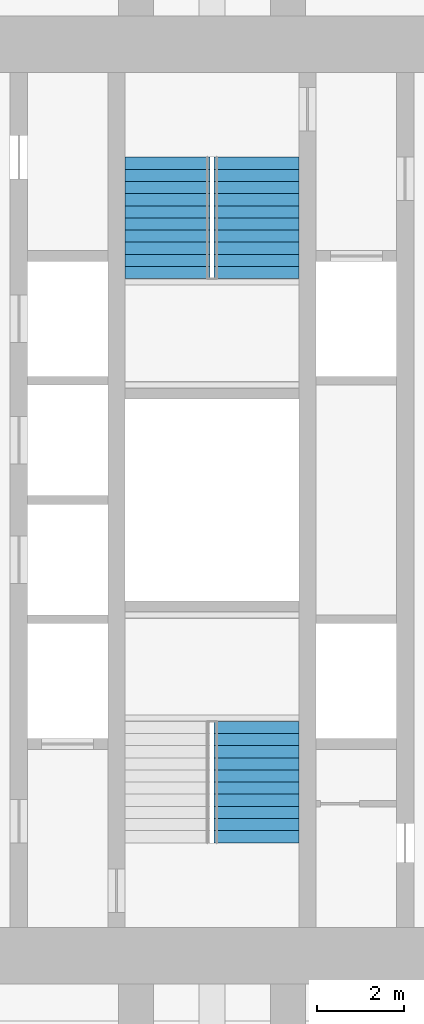
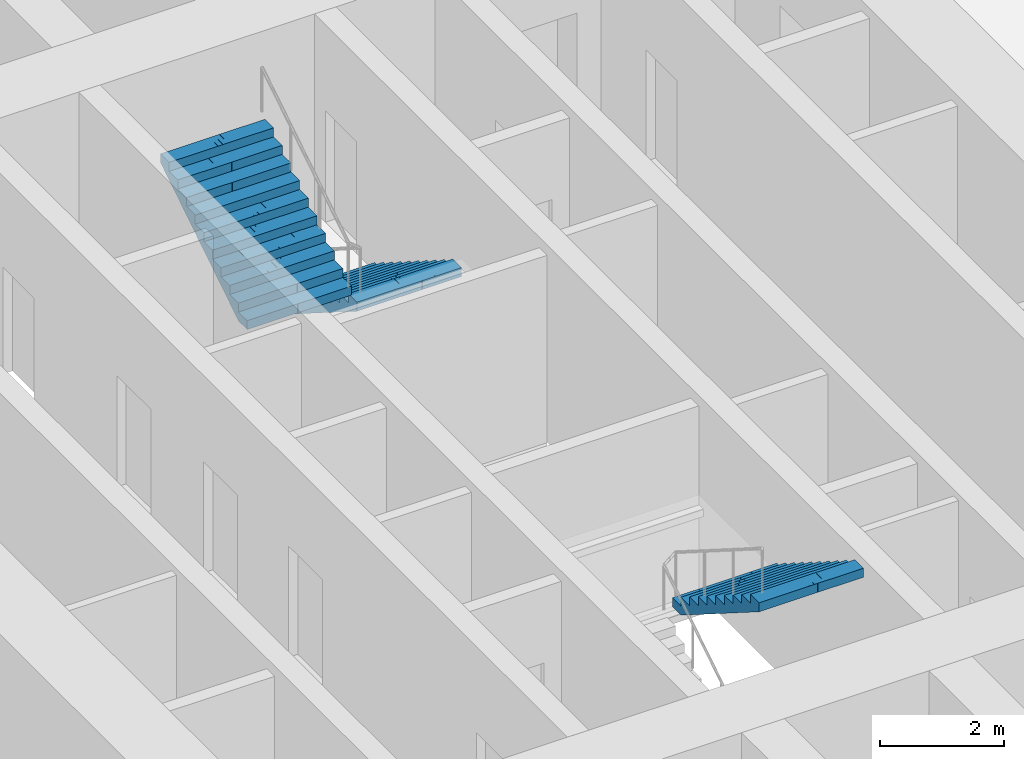
# One storey, part 18 of 19: 3 stair flights, 2 elements without a shape of their own.
"""IFC4 building model written with IfcOpenShell, lengths in metres."""

from ifc_helpers import new_model, si_unit, direction, frame, origin, place, context, subcontext, project, spatial, polyline, outline, extrude, material, type_object, element, aggregate, save


model = new_model("IFC4")

# Units and contexts
model_context = context("Model", 3, precision=1e-05, world=origin(), true_north=direction((0.0, 1.0)))
body_context = subcontext(model_context, "Body", "Model", "MODEL_VIEW")
ifc_project = project(units=[si_unit("LENGTHUNIT", "METRE"), si_unit("AREAUNIT", "SQUARE_METRE"), si_unit("VOLUMEUNIT", "CUBIC_METRE"), si_unit("PLANEANGLEUNIT", "RADIAN"), si_unit("MASSUNIT", "GRAM", prefix="KILO")], contexts=[model_context])

# Site, building, storey
site_placement = place(None, origin())
site = spatial("IfcSite", under=ifc_project, at=site_placement, CompositionType="ELEMENT")
building_placement = place(site_placement, origin())
building = spatial("IfcBuilding", under=site, at=building_placement, Name="Mizan Broadcast Tower", CompositionType="ELEMENT")
storey_placement = place(building_placement, frame((0.0, 0.0, 128.10009765625)))
storey = spatial("IfcBuildingStorey", under=building, at=storey_placement, Name="L28", CompositionType="ELEMENT", Elevation=128.10009765625)

# Stair, stair flight
ifc_material_1 = material(Name="Concrete C40/50", Category="concrete")
stair_type = type_object("IfcStairType", Name="EXIT STAIR", PredefinedType="HALF_TURN_STAIR", material=ifc_material_1)
stair_1_placement = place(storey_placement, origin())
stair_1 = element("IfcStair", 1, at=stair_1_placement, inside=storey, type_object=stair_type, Name="Stair A L28", PredefinedType="HALF_TURN_STAIR")
ifc_material_2 = material(Name="Concrete C40/50", Category="concrete")
stair_flight_type = type_object("IfcStairFlightType", Name="EXIT STAIR FLIGHT", PredefinedType="STRAIGHT", material=ifc_material_2)
stair_flight_1_placement = place(storey_placement, frame((1.02490234375, -5.10009765625, 1.949951171875), z_axis=(0.0, 0.0, 1.0), x_axis=(0.0, -1.0, 0.0)))
stair_flight_1 = element("IfcStairFlight", 2, at=stair_flight_1_placement, type_object=stair_flight_type, Name="A flight 2", NumberOfRisers=11, NumberOfTreads=10, PredefinedType="STRAIGHT", RiserHeight=0.177272727, TreadLength=0.28, context=body_context, shape_type="SweptSolid", body=[
    extrude(outline(polyline([(0.0, 0.0), (0.0, 0.17724609375), (0.280029296875, 0.17724609375), (0.280029296875, 0.3544921875), (0.56005859375, 0.3544921875), (0.56005859375, 0.53173828125), (0.840087890625, 0.53173828125), (0.840087890625, 0.708984375), (1.1201171875, 0.708984375), (1.1201171875, 0.886474609375), (1.39990234375, 0.886474609375), (1.39990234375, 1.063720703125), (1.679931640625, 1.063720703125), (1.679931640625, 1.240966796875), (1.9599609375, 1.240966796875), (1.9599609375, 1.418212890625), (2.239990234375, 1.418212890625), (2.239990234375, 1.595458984375), (2.52001953125, 1.595458984375), (2.52001953125, 1.772705078125), (2.800048828125, 1.772705078125), (2.800048828125, 1.949951171875), (2.800048828125, 1.59521484375), (0.2802734375, 0.0), (0.0, 0.0)])), frame((0.0, 0.97509765625, 0.0), z_axis=(0.0, -1.0, 0.0), x_axis=(1.0, 0.0, 0.0)), (0.0, 0.0, 1.0), 0.4873046875),
    extrude(outline(polyline([(0.0, 0.0), (0.0, 0.17724609375), (0.280029296875, 0.17724609375), (0.280029296875, 0.3544921875), (0.56005859375, 0.3544921875), (0.56005859375, 0.53173828125), (0.840087890625, 0.53173828125), (0.840087890625, 0.708984375), (1.1201171875, 0.708984375), (1.1201171875, 0.886474609375), (1.39990234375, 0.886474609375), (1.39990234375, 1.063720703125), (1.679931640625, 1.063720703125), (1.679931640625, 1.240966796875), (1.9599609375, 1.240966796875), (1.9599609375, 1.418212890625), (2.239990234375, 1.418212890625), (2.239990234375, 1.595458984375), (2.52001953125, 1.595458984375), (2.52001953125, 1.772705078125), (2.800048828125, 1.772705078125), (2.800048828125, 1.949951171875), (2.800048828125, 1.59521484375), (0.2802734375, 0.0), (0.0, 0.0)])), frame((0.0, 0.4873046875, 0.0), z_axis=(0.0, -1.0, 0.0), x_axis=(1.0, 0.0, 0.0)), (0.0, 0.0, 1.0), 0.2431640625),
    extrude(outline(polyline([(0.0, 0.0), (0.0, 0.17724609375), (0.280029296875, 0.17724609375), (0.280029296875, 0.3544921875), (0.56005859375, 0.3544921875), (0.56005859375, 0.53173828125), (0.840087890625, 0.53173828125), (0.840087890625, 0.708984375), (1.1201171875, 0.708984375), (1.1201171875, 0.886474609375), (1.39990234375, 0.886474609375), (1.39990234375, 1.063720703125), (1.679931640625, 1.063720703125), (1.679931640625, 1.240966796875), (1.9599609375, 1.240966796875), (1.9599609375, 1.418212890625), (2.239990234375, 1.418212890625), (2.239990234375, 1.595458984375), (2.52001953125, 1.595458984375), (2.52001953125, 1.772705078125), (2.800048828125, 1.772705078125), (2.800048828125, 1.949951171875), (2.800048828125, 1.59521484375), (0.2802734375, 0.0), (0.0, 0.0)])), frame((0.0, 0.24365234375, 0.0), z_axis=(0.0, -1.0, 0.0), x_axis=(1.0, 0.0, 0.0)), (0.0, 0.0, 1.0), 0.121337890625),
    extrude(outline(polyline([(0.0, 0.0), (0.0, 0.17724609375), (0.280029296875, 0.17724609375), (0.280029296875, 0.3544921875), (0.56005859375, 0.3544921875), (0.56005859375, 0.53173828125), (0.840087890625, 0.53173828125), (0.840087890625, 0.708984375), (1.1201171875, 0.708984375), (1.1201171875, 0.886474609375), (1.39990234375, 0.886474609375), (1.39990234375, 1.063720703125), (1.679931640625, 1.063720703125), (1.679931640625, 1.240966796875), (1.9599609375, 1.240966796875), (1.9599609375, 1.418212890625), (2.239990234375, 1.418212890625), (2.239990234375, 1.595458984375), (2.52001953125, 1.595458984375), (2.52001953125, 1.772705078125), (2.800048828125, 1.772705078125), (2.800048828125, 1.949951171875), (2.800048828125, 1.59521484375), (0.2802734375, 0.0), (0.0, 0.0)])), frame((0.0, 0.121826171875, 0.0), z_axis=(0.0, -1.0, 0.0), x_axis=(1.0, 0.0, 0.0)), (0.0, 0.0, 1.0), 0.060546875),
    extrude(outline(polyline([(0.0, 0.0), (0.0, 0.17724609375), (0.280029296875, 0.17724609375), (0.280029296875, 0.3544921875), (0.56005859375, 0.3544921875), (0.56005859375, 0.53173828125), (0.840087890625, 0.53173828125), (0.840087890625, 0.708984375), (1.1201171875, 0.708984375), (1.1201171875, 0.886474609375), (1.39990234375, 0.886474609375), (1.39990234375, 1.063720703125), (1.679931640625, 1.063720703125), (1.679931640625, 1.240966796875), (1.9599609375, 1.240966796875), (1.9599609375, 1.418212890625), (2.239990234375, 1.418212890625), (2.239990234375, 1.595458984375), (2.52001953125, 1.595458984375), (2.52001953125, 1.772705078125), (2.800048828125, 1.772705078125), (2.800048828125, 1.949951171875), (2.800048828125, 1.59521484375), (0.2802734375, 0.0), (0.0, 0.0)])), frame((0.0, 0.060791015625, 0.0), z_axis=(0.0, -1.0, 0.0), x_axis=(1.0, 0.0, 0.0)), (0.0, 0.0, 1.0), 0.030029296875),
    extrude(outline(polyline([(0.0, 0.0), (0.0, 0.17724609375), (0.280029296875, 0.17724609375), (0.280029296875, 0.3544921875), (0.56005859375, 0.3544921875), (0.56005859375, 0.53173828125), (0.840087890625, 0.53173828125), (0.840087890625, 0.708984375), (1.1201171875, 0.708984375), (1.1201171875, 0.886474609375), (1.39990234375, 0.886474609375), (1.39990234375, 1.063720703125), (1.679931640625, 1.063720703125), (1.679931640625, 1.240966796875), (1.9599609375, 1.240966796875), (1.9599609375, 1.418212890625), (2.239990234375, 1.418212890625), (2.239990234375, 1.595458984375), (2.52001953125, 1.595458984375), (2.52001953125, 1.772705078125), (2.800048828125, 1.772705078125), (2.800048828125, 1.949951171875), (2.800048828125, 1.59521484375), (0.2802734375, 0.0), (0.0, 0.0)])), frame((0.0, 0.0302734375, 0.0), z_axis=(0.0, -1.0, 0.0), x_axis=(1.0, 0.0, 0.0)), (0.0, 0.0, 1.0), 0.060302734375),
    extrude(outline(polyline([(0.0, 0.0), (0.0, 0.17724609375), (0.280029296875, 0.17724609375), (0.280029296875, 0.3544921875), (0.56005859375, 0.3544921875), (0.56005859375, 0.53173828125), (0.840087890625, 0.53173828125), (0.840087890625, 0.708984375), (1.1201171875, 0.708984375), (1.1201171875, 0.886474609375), (1.39990234375, 0.886474609375), (1.39990234375, 1.063720703125), (1.679931640625, 1.063720703125), (1.679931640625, 1.240966796875), (1.9599609375, 1.240966796875), (1.9599609375, 1.418212890625), (2.239990234375, 1.418212890625), (2.239990234375, 1.595458984375), (2.52001953125, 1.595458984375), (2.52001953125, 1.772705078125), (2.800048828125, 1.772705078125), (2.800048828125, 1.949951171875), (2.800048828125, 1.59521484375), (0.2802734375, 0.0), (0.0, 0.0)])), frame((0.0, -0.030517578125, 0.0), z_axis=(0.0, -1.0, 0.0), x_axis=(1.0, 0.0, 0.0)), (0.0, 0.0, 1.0), 0.030029296875),
    extrude(outline(polyline([(0.0, 0.0), (0.0, 0.17724609375), (0.280029296875, 0.17724609375), (0.280029296875, 0.3544921875), (0.56005859375, 0.3544921875), (0.56005859375, 0.53173828125), (0.840087890625, 0.53173828125), (0.840087890625, 0.708984375), (1.1201171875, 0.708984375), (1.1201171875, 0.886474609375), (1.39990234375, 0.886474609375), (1.39990234375, 1.063720703125), (1.679931640625, 1.063720703125), (1.679931640625, 1.240966796875), (1.9599609375, 1.240966796875), (1.9599609375, 1.418212890625), (2.239990234375, 1.418212890625), (2.239990234375, 1.595458984375), (2.52001953125, 1.595458984375), (2.52001953125, 1.772705078125), (2.800048828125, 1.772705078125), (2.800048828125, 1.949951171875), (2.800048828125, 1.59521484375), (0.2802734375, 0.0), (0.0, 0.0)])), frame((0.0, -0.06103515625, 0.0), z_axis=(0.0, -1.0, 0.0), x_axis=(1.0, 0.0, 0.0)), (0.0, 0.0, 1.0), 0.060546875),
    extrude(outline(polyline([(0.0, 0.0), (0.0, 0.17724609375), (0.280029296875, 0.17724609375), (0.280029296875, 0.3544921875), (0.56005859375, 0.3544921875), (0.56005859375, 0.53173828125), (0.840087890625, 0.53173828125), (0.840087890625, 0.708984375), (1.1201171875, 0.708984375), (1.1201171875, 0.886474609375), (1.39990234375, 0.886474609375), (1.39990234375, 1.063720703125), (1.679931640625, 1.063720703125), (1.679931640625, 1.240966796875), (1.9599609375, 1.240966796875), (1.9599609375, 1.418212890625), (2.239990234375, 1.418212890625), (2.239990234375, 1.595458984375), (2.52001953125, 1.595458984375), (2.52001953125, 1.772705078125), (2.800048828125, 1.772705078125), (2.800048828125, 1.949951171875), (2.800048828125, 1.59521484375), (0.2802734375, 0.0), (0.0, 0.0)])), frame((0.0, -0.1220703125, 0.0), z_axis=(0.0, -1.0, 0.0), x_axis=(1.0, 0.0, 0.0)), (0.0, 0.0, 1.0), 0.121337890625),
    extrude(outline(polyline([(0.0, 0.0), (0.0, 0.17724609375), (0.280029296875, 0.17724609375), (0.280029296875, 0.3544921875), (0.56005859375, 0.3544921875), (0.56005859375, 0.53173828125), (0.840087890625, 0.53173828125), (0.840087890625, 0.708984375), (1.1201171875, 0.708984375), (1.1201171875, 0.886474609375), (1.39990234375, 0.886474609375), (1.39990234375, 1.063720703125), (1.679931640625, 1.063720703125), (1.679931640625, 1.240966796875), (1.9599609375, 1.240966796875), (1.9599609375, 1.418212890625), (2.239990234375, 1.418212890625), (2.239990234375, 1.595458984375), (2.52001953125, 1.595458984375), (2.52001953125, 1.772705078125), (2.800048828125, 1.772705078125), (2.800048828125, 1.949951171875), (2.800048828125, 1.59521484375), (0.2802734375, 0.0), (0.0, 0.0)])), frame((0.0, -0.243896484375, 0.0), z_axis=(0.0, -1.0, 0.0), x_axis=(1.0, 0.0, 0.0)), (0.0, 0.0, 1.0), 0.2431640625),
    extrude(outline(polyline([(0.0, 0.0), (0.0, 0.17724609375), (0.280029296875, 0.17724609375), (0.280029296875, 0.3544921875), (0.56005859375, 0.3544921875), (0.56005859375, 0.53173828125), (0.840087890625, 0.53173828125), (0.840087890625, 0.708984375), (1.1201171875, 0.708984375), (1.1201171875, 0.886474609375), (1.39990234375, 0.886474609375), (1.39990234375, 1.063720703125), (1.679931640625, 1.063720703125), (1.679931640625, 1.240966796875), (1.9599609375, 1.240966796875), (1.9599609375, 1.418212890625), (2.239990234375, 1.418212890625), (2.239990234375, 1.595458984375), (2.52001953125, 1.595458984375), (2.52001953125, 1.772705078125), (2.800048828125, 1.772705078125), (2.800048828125, 1.949951171875), (2.800048828125, 1.59521484375), (0.2802734375, 0.0), (0.0, 0.0)])), frame((0.0, -0.487548828125, 0.0), z_axis=(0.0, -1.0, 0.0), x_axis=(1.0, 0.0, 0.0)), (0.0, 0.0, 1.0), 0.4873046875),
])
aggregate(stair_1, [stair_flight_1])

# Stair, stair flights
stair_2_placement = place(storey_placement, origin())
stair_2 = element("IfcStair", 3, at=stair_2_placement, inside=storey, type_object=stair_type, Name="Stair B L28", PredefinedType="HALF_TURN_STAIR")
stair_flight_2_placement = place(storey_placement, frame((1.02490234375, 7.89990234375, 0.0), z_axis=(0.0, 0.0, 1.0), x_axis=(0.0, -1.0, 0.0)))
stair_flight_2 = element("IfcStairFlight", 4, at=stair_flight_2_placement, type_object=stair_flight_type, Name="B flight 1", NumberOfRisers=11, NumberOfTreads=10, PredefinedType="STRAIGHT", RiserHeight=0.177272727, TreadLength=0.28, context=body_context, shape_type="SweptSolid", body=[
    extrude(outline(polyline([(0.0, 0.0), (0.0, 0.17724609375), (0.280029296875, 0.17724609375), (0.280029296875, 0.3544921875), (0.56005859375, 0.3544921875), (0.56005859375, 0.53173828125), (0.840087890625, 0.53173828125), (0.840087890625, 0.708984375), (1.1201171875, 0.708984375), (1.1201171875, 0.886474609375), (1.39990234375, 0.886474609375), (1.39990234375, 1.063720703125), (1.679931640625, 1.063720703125), (1.679931640625, 1.240966796875), (1.9599609375, 1.240966796875), (1.9599609375, 1.418212890625), (2.239990234375, 1.418212890625), (2.239990234375, 1.595458984375), (2.52001953125, 1.595458984375), (2.52001953125, 1.772705078125), (2.800048828125, 1.772705078125), (2.800048828125, 1.949951171875), (2.800048828125, 1.59521484375), (0.2802734375, 0.0), (0.0, 0.0)])), frame((0.0, 0.97509765625, 0.0), z_axis=(0.0, -1.0, 0.0), x_axis=(1.0, 0.0, 0.0)), (0.0, 0.0, 1.0), 0.4873046875),
    extrude(outline(polyline([(0.0, 0.0), (0.0, 0.17724609375), (0.280029296875, 0.17724609375), (0.280029296875, 0.3544921875), (0.56005859375, 0.3544921875), (0.56005859375, 0.53173828125), (0.840087890625, 0.53173828125), (0.840087890625, 0.708984375), (1.1201171875, 0.708984375), (1.1201171875, 0.886474609375), (1.39990234375, 0.886474609375), (1.39990234375, 1.063720703125), (1.679931640625, 1.063720703125), (1.679931640625, 1.240966796875), (1.9599609375, 1.240966796875), (1.9599609375, 1.418212890625), (2.239990234375, 1.418212890625), (2.239990234375, 1.595458984375), (2.52001953125, 1.595458984375), (2.52001953125, 1.772705078125), (2.800048828125, 1.772705078125), (2.800048828125, 1.949951171875), (2.800048828125, 1.59521484375), (0.2802734375, 0.0), (0.0, 0.0)])), frame((0.0, 0.4873046875, 0.0), z_axis=(0.0, -1.0, 0.0), x_axis=(1.0, 0.0, 0.0)), (0.0, 0.0, 1.0), 0.2431640625),
    extrude(outline(polyline([(0.0, 0.0), (0.0, 0.17724609375), (0.280029296875, 0.17724609375), (0.280029296875, 0.3544921875), (0.56005859375, 0.3544921875), (0.56005859375, 0.53173828125), (0.840087890625, 0.53173828125), (0.840087890625, 0.708984375), (1.1201171875, 0.708984375), (1.1201171875, 0.886474609375), (1.39990234375, 0.886474609375), (1.39990234375, 1.063720703125), (1.679931640625, 1.063720703125), (1.679931640625, 1.240966796875), (1.9599609375, 1.240966796875), (1.9599609375, 1.418212890625), (2.239990234375, 1.418212890625), (2.239990234375, 1.595458984375), (2.52001953125, 1.595458984375), (2.52001953125, 1.772705078125), (2.800048828125, 1.772705078125), (2.800048828125, 1.949951171875), (2.800048828125, 1.59521484375), (0.2802734375, 0.0), (0.0, 0.0)])), frame((0.0, 0.24365234375, 0.0), z_axis=(0.0, -1.0, 0.0), x_axis=(1.0, 0.0, 0.0)), (0.0, 0.0, 1.0), 0.121337890625),
    extrude(outline(polyline([(0.0, 0.0), (0.0, 0.17724609375), (0.280029296875, 0.17724609375), (0.280029296875, 0.3544921875), (0.56005859375, 0.3544921875), (0.56005859375, 0.53173828125), (0.840087890625, 0.53173828125), (0.840087890625, 0.708984375), (1.1201171875, 0.708984375), (1.1201171875, 0.886474609375), (1.39990234375, 0.886474609375), (1.39990234375, 1.063720703125), (1.679931640625, 1.063720703125), (1.679931640625, 1.240966796875), (1.9599609375, 1.240966796875), (1.9599609375, 1.418212890625), (2.239990234375, 1.418212890625), (2.239990234375, 1.595458984375), (2.52001953125, 1.595458984375), (2.52001953125, 1.772705078125), (2.800048828125, 1.772705078125), (2.800048828125, 1.949951171875), (2.800048828125, 1.59521484375), (0.2802734375, 0.0), (0.0, 0.0)])), frame((0.0, 0.121826171875, 0.0), z_axis=(0.0, -1.0, 0.0), x_axis=(1.0, 0.0, 0.0)), (0.0, 0.0, 1.0), 0.060546875),
    extrude(outline(polyline([(0.0, 0.0), (0.0, 0.17724609375), (0.280029296875, 0.17724609375), (0.280029296875, 0.3544921875), (0.56005859375, 0.3544921875), (0.56005859375, 0.53173828125), (0.840087890625, 0.53173828125), (0.840087890625, 0.708984375), (1.1201171875, 0.708984375), (1.1201171875, 0.886474609375), (1.39990234375, 0.886474609375), (1.39990234375, 1.063720703125), (1.679931640625, 1.063720703125), (1.679931640625, 1.240966796875), (1.9599609375, 1.240966796875), (1.9599609375, 1.418212890625), (2.239990234375, 1.418212890625), (2.239990234375, 1.595458984375), (2.52001953125, 1.595458984375), (2.52001953125, 1.772705078125), (2.800048828125, 1.772705078125), (2.800048828125, 1.949951171875), (2.800048828125, 1.59521484375), (0.2802734375, 0.0), (0.0, 0.0)])), frame((0.0, 0.060791015625, 0.0), z_axis=(0.0, -1.0, 0.0), x_axis=(1.0, 0.0, 0.0)), (0.0, 0.0, 1.0), 0.030029296875),
    extrude(outline(polyline([(0.0, 0.0), (0.0, 0.17724609375), (0.280029296875, 0.17724609375), (0.280029296875, 0.3544921875), (0.56005859375, 0.3544921875), (0.56005859375, 0.53173828125), (0.840087890625, 0.53173828125), (0.840087890625, 0.708984375), (1.1201171875, 0.708984375), (1.1201171875, 0.886474609375), (1.39990234375, 0.886474609375), (1.39990234375, 1.063720703125), (1.679931640625, 1.063720703125), (1.679931640625, 1.240966796875), (1.9599609375, 1.240966796875), (1.9599609375, 1.418212890625), (2.239990234375, 1.418212890625), (2.239990234375, 1.595458984375), (2.52001953125, 1.595458984375), (2.52001953125, 1.772705078125), (2.800048828125, 1.772705078125), (2.800048828125, 1.949951171875), (2.800048828125, 1.59521484375), (0.2802734375, 0.0), (0.0, 0.0)])), frame((0.0, 0.0302734375, 0.0), z_axis=(0.0, -1.0, 0.0), x_axis=(1.0, 0.0, 0.0)), (0.0, 0.0, 1.0), 0.060302734375),
    extrude(outline(polyline([(0.0, 0.0), (0.0, 0.17724609375), (0.280029296875, 0.17724609375), (0.280029296875, 0.3544921875), (0.56005859375, 0.3544921875), (0.56005859375, 0.53173828125), (0.840087890625, 0.53173828125), (0.840087890625, 0.708984375), (1.1201171875, 0.708984375), (1.1201171875, 0.886474609375), (1.39990234375, 0.886474609375), (1.39990234375, 1.063720703125), (1.679931640625, 1.063720703125), (1.679931640625, 1.240966796875), (1.9599609375, 1.240966796875), (1.9599609375, 1.418212890625), (2.239990234375, 1.418212890625), (2.239990234375, 1.595458984375), (2.52001953125, 1.595458984375), (2.52001953125, 1.772705078125), (2.800048828125, 1.772705078125), (2.800048828125, 1.949951171875), (2.800048828125, 1.59521484375), (0.2802734375, 0.0), (0.0, 0.0)])), frame((0.0, -0.030517578125, 0.0), z_axis=(0.0, -1.0, 0.0), x_axis=(1.0, 0.0, 0.0)), (0.0, 0.0, 1.0), 0.030029296875),
    extrude(outline(polyline([(0.0, 0.0), (0.0, 0.17724609375), (0.280029296875, 0.17724609375), (0.280029296875, 0.3544921875), (0.56005859375, 0.3544921875), (0.56005859375, 0.53173828125), (0.840087890625, 0.53173828125), (0.840087890625, 0.708984375), (1.1201171875, 0.708984375), (1.1201171875, 0.886474609375), (1.39990234375, 0.886474609375), (1.39990234375, 1.063720703125), (1.679931640625, 1.063720703125), (1.679931640625, 1.240966796875), (1.9599609375, 1.240966796875), (1.9599609375, 1.418212890625), (2.239990234375, 1.418212890625), (2.239990234375, 1.595458984375), (2.52001953125, 1.595458984375), (2.52001953125, 1.772705078125), (2.800048828125, 1.772705078125), (2.800048828125, 1.949951171875), (2.800048828125, 1.59521484375), (0.2802734375, 0.0), (0.0, 0.0)])), frame((0.0, -0.06103515625, 0.0), z_axis=(0.0, -1.0, 0.0), x_axis=(1.0, 0.0, 0.0)), (0.0, 0.0, 1.0), 0.060546875),
    extrude(outline(polyline([(0.0, 0.0), (0.0, 0.17724609375), (0.280029296875, 0.17724609375), (0.280029296875, 0.3544921875), (0.56005859375, 0.3544921875), (0.56005859375, 0.53173828125), (0.840087890625, 0.53173828125), (0.840087890625, 0.708984375), (1.1201171875, 0.708984375), (1.1201171875, 0.886474609375), (1.39990234375, 0.886474609375), (1.39990234375, 1.063720703125), (1.679931640625, 1.063720703125), (1.679931640625, 1.240966796875), (1.9599609375, 1.240966796875), (1.9599609375, 1.418212890625), (2.239990234375, 1.418212890625), (2.239990234375, 1.595458984375), (2.52001953125, 1.595458984375), (2.52001953125, 1.772705078125), (2.800048828125, 1.772705078125), (2.800048828125, 1.949951171875), (2.800048828125, 1.59521484375), (0.2802734375, 0.0), (0.0, 0.0)])), frame((0.0, -0.1220703125, 0.0), z_axis=(0.0, -1.0, 0.0), x_axis=(1.0, 0.0, 0.0)), (0.0, 0.0, 1.0), 0.121337890625),
    extrude(outline(polyline([(0.0, 0.0), (0.0, 0.17724609375), (0.280029296875, 0.17724609375), (0.280029296875, 0.3544921875), (0.56005859375, 0.3544921875), (0.56005859375, 0.53173828125), (0.840087890625, 0.53173828125), (0.840087890625, 0.708984375), (1.1201171875, 0.708984375), (1.1201171875, 0.886474609375), (1.39990234375, 0.886474609375), (1.39990234375, 1.063720703125), (1.679931640625, 1.063720703125), (1.679931640625, 1.240966796875), (1.9599609375, 1.240966796875), (1.9599609375, 1.418212890625), (2.239990234375, 1.418212890625), (2.239990234375, 1.595458984375), (2.52001953125, 1.595458984375), (2.52001953125, 1.772705078125), (2.800048828125, 1.772705078125), (2.800048828125, 1.949951171875), (2.800048828125, 1.59521484375), (0.2802734375, 0.0), (0.0, 0.0)])), frame((0.0, -0.243896484375, 0.0), z_axis=(0.0, -1.0, 0.0), x_axis=(1.0, 0.0, 0.0)), (0.0, 0.0, 1.0), 0.2431640625),
    extrude(outline(polyline([(0.0, 0.0), (0.0, 0.17724609375), (0.280029296875, 0.17724609375), (0.280029296875, 0.3544921875), (0.56005859375, 0.3544921875), (0.56005859375, 0.53173828125), (0.840087890625, 0.53173828125), (0.840087890625, 0.708984375), (1.1201171875, 0.708984375), (1.1201171875, 0.886474609375), (1.39990234375, 0.886474609375), (1.39990234375, 1.063720703125), (1.679931640625, 1.063720703125), (1.679931640625, 1.240966796875), (1.9599609375, 1.240966796875), (1.9599609375, 1.418212890625), (2.239990234375, 1.418212890625), (2.239990234375, 1.595458984375), (2.52001953125, 1.595458984375), (2.52001953125, 1.772705078125), (2.800048828125, 1.772705078125), (2.800048828125, 1.949951171875), (2.800048828125, 1.59521484375), (0.2802734375, 0.0), (0.0, 0.0)])), frame((0.0, -0.487548828125, 0.0), z_axis=(0.0, -1.0, 0.0), x_axis=(1.0, 0.0, 0.0)), (0.0, 0.0, 1.0), 0.4873046875),
])
stair_flight_3_placement = place(storey_placement, frame((-1.02490234375, 5.10009765625, 1.949951171875), z_axis=(0.0, 0.0, 1.0), x_axis=(0.0, 1.0, 0.0)))
stair_flight_3 = element("IfcStairFlight", 5, at=stair_flight_3_placement, type_object=stair_flight_type, Name="B flight 2", NumberOfRisers=11, NumberOfTreads=10, PredefinedType="STRAIGHT", RiserHeight=0.177272727, TreadLength=0.28, context=body_context, shape_type="SweptSolid", body=[
    extrude(outline(polyline([(0.0, 0.0), (0.0, 0.17724609375), (0.280029296875, 0.17724609375), (0.280029296875, 0.3544921875), (0.56005859375, 0.3544921875), (0.56005859375, 0.53173828125), (0.840087890625, 0.53173828125), (0.840087890625, 0.708984375), (1.1201171875, 0.708984375), (1.1201171875, 0.886474609375), (1.39990234375, 0.886474609375), (1.39990234375, 1.063720703125), (1.679931640625, 1.063720703125), (1.679931640625, 1.240966796875), (1.9599609375, 1.240966796875), (1.9599609375, 1.418212890625), (2.239990234375, 1.418212890625), (2.239990234375, 1.595458984375), (2.52001953125, 1.595458984375), (2.52001953125, 1.772705078125), (2.800048828125, 1.772705078125), (2.800048828125, 1.949951171875), (2.800048828125, 1.59521484375), (0.2802734375, 0.0), (0.0, 0.0)])), frame((0.0, 0.97509765625, 0.0), z_axis=(0.0, -1.0, 0.0), x_axis=(1.0, 0.0, 0.0)), (0.0, 0.0, 1.0), 0.4873046875),
    extrude(outline(polyline([(0.0, 0.0), (0.0, 0.17724609375), (0.280029296875, 0.17724609375), (0.280029296875, 0.3544921875), (0.56005859375, 0.3544921875), (0.56005859375, 0.53173828125), (0.840087890625, 0.53173828125), (0.840087890625, 0.708984375), (1.1201171875, 0.708984375), (1.1201171875, 0.886474609375), (1.39990234375, 0.886474609375), (1.39990234375, 1.063720703125), (1.679931640625, 1.063720703125), (1.679931640625, 1.240966796875), (1.9599609375, 1.240966796875), (1.9599609375, 1.418212890625), (2.239990234375, 1.418212890625), (2.239990234375, 1.595458984375), (2.52001953125, 1.595458984375), (2.52001953125, 1.772705078125), (2.800048828125, 1.772705078125), (2.800048828125, 1.949951171875), (2.800048828125, 1.59521484375), (0.2802734375, 0.0), (0.0, 0.0)])), frame((0.0, 0.4873046875, 0.0), z_axis=(0.0, -1.0, 0.0), x_axis=(1.0, 0.0, 0.0)), (0.0, 0.0, 1.0), 0.2431640625),
    extrude(outline(polyline([(0.0, 0.0), (0.0, 0.17724609375), (0.280029296875, 0.17724609375), (0.280029296875, 0.3544921875), (0.56005859375, 0.3544921875), (0.56005859375, 0.53173828125), (0.840087890625, 0.53173828125), (0.840087890625, 0.708984375), (1.1201171875, 0.708984375), (1.1201171875, 0.886474609375), (1.39990234375, 0.886474609375), (1.39990234375, 1.063720703125), (1.679931640625, 1.063720703125), (1.679931640625, 1.240966796875), (1.9599609375, 1.240966796875), (1.9599609375, 1.418212890625), (2.239990234375, 1.418212890625), (2.239990234375, 1.595458984375), (2.52001953125, 1.595458984375), (2.52001953125, 1.772705078125), (2.800048828125, 1.772705078125), (2.800048828125, 1.949951171875), (2.800048828125, 1.59521484375), (0.2802734375, 0.0), (0.0, 0.0)])), frame((0.0, 0.24365234375, 0.0), z_axis=(0.0, -1.0, 0.0), x_axis=(1.0, 0.0, 0.0)), (0.0, 0.0, 1.0), 0.121337890625),
    extrude(outline(polyline([(0.0, 0.0), (0.0, 0.17724609375), (0.280029296875, 0.17724609375), (0.280029296875, 0.3544921875), (0.56005859375, 0.3544921875), (0.56005859375, 0.53173828125), (0.840087890625, 0.53173828125), (0.840087890625, 0.708984375), (1.1201171875, 0.708984375), (1.1201171875, 0.886474609375), (1.39990234375, 0.886474609375), (1.39990234375, 1.063720703125), (1.679931640625, 1.063720703125), (1.679931640625, 1.240966796875), (1.9599609375, 1.240966796875), (1.9599609375, 1.418212890625), (2.239990234375, 1.418212890625), (2.239990234375, 1.595458984375), (2.52001953125, 1.595458984375), (2.52001953125, 1.772705078125), (2.800048828125, 1.772705078125), (2.800048828125, 1.949951171875), (2.800048828125, 1.59521484375), (0.2802734375, 0.0), (0.0, 0.0)])), frame((0.0, 0.121826171875, 0.0), z_axis=(0.0, -1.0, 0.0), x_axis=(1.0, 0.0, 0.0)), (0.0, 0.0, 1.0), 0.060546875),
    extrude(outline(polyline([(0.0, 0.0), (0.0, 0.17724609375), (0.280029296875, 0.17724609375), (0.280029296875, 0.3544921875), (0.56005859375, 0.3544921875), (0.56005859375, 0.53173828125), (0.840087890625, 0.53173828125), (0.840087890625, 0.708984375), (1.1201171875, 0.708984375), (1.1201171875, 0.886474609375), (1.39990234375, 0.886474609375), (1.39990234375, 1.063720703125), (1.679931640625, 1.063720703125), (1.679931640625, 1.240966796875), (1.9599609375, 1.240966796875), (1.9599609375, 1.418212890625), (2.239990234375, 1.418212890625), (2.239990234375, 1.595458984375), (2.52001953125, 1.595458984375), (2.52001953125, 1.772705078125), (2.800048828125, 1.772705078125), (2.800048828125, 1.949951171875), (2.800048828125, 1.59521484375), (0.2802734375, 0.0), (0.0, 0.0)])), frame((0.0, 0.060791015625, 0.0), z_axis=(0.0, -1.0, 0.0), x_axis=(1.0, 0.0, 0.0)), (0.0, 0.0, 1.0), 0.030029296875),
    extrude(outline(polyline([(0.0, 0.0), (0.0, 0.17724609375), (0.280029296875, 0.17724609375), (0.280029296875, 0.3544921875), (0.56005859375, 0.3544921875), (0.56005859375, 0.53173828125), (0.840087890625, 0.53173828125), (0.840087890625, 0.708984375), (1.1201171875, 0.708984375), (1.1201171875, 0.886474609375), (1.39990234375, 0.886474609375), (1.39990234375, 1.063720703125), (1.679931640625, 1.063720703125), (1.679931640625, 1.240966796875), (1.9599609375, 1.240966796875), (1.9599609375, 1.418212890625), (2.239990234375, 1.418212890625), (2.239990234375, 1.595458984375), (2.52001953125, 1.595458984375), (2.52001953125, 1.772705078125), (2.800048828125, 1.772705078125), (2.800048828125, 1.949951171875), (2.800048828125, 1.59521484375), (0.2802734375, 0.0), (0.0, 0.0)])), frame((0.0, 0.0302734375, 0.0), z_axis=(0.0, -1.0, 0.0), x_axis=(1.0, 0.0, 0.0)), (0.0, 0.0, 1.0), 0.060302734375),
    extrude(outline(polyline([(0.0, 0.0), (0.0, 0.17724609375), (0.280029296875, 0.17724609375), (0.280029296875, 0.3544921875), (0.56005859375, 0.3544921875), (0.56005859375, 0.53173828125), (0.840087890625, 0.53173828125), (0.840087890625, 0.708984375), (1.1201171875, 0.708984375), (1.1201171875, 0.886474609375), (1.39990234375, 0.886474609375), (1.39990234375, 1.063720703125), (1.679931640625, 1.063720703125), (1.679931640625, 1.240966796875), (1.9599609375, 1.240966796875), (1.9599609375, 1.418212890625), (2.239990234375, 1.418212890625), (2.239990234375, 1.595458984375), (2.52001953125, 1.595458984375), (2.52001953125, 1.772705078125), (2.800048828125, 1.772705078125), (2.800048828125, 1.949951171875), (2.800048828125, 1.59521484375), (0.2802734375, 0.0), (0.0, 0.0)])), frame((0.0, -0.030517578125, 0.0), z_axis=(0.0, -1.0, 0.0), x_axis=(1.0, 0.0, 0.0)), (0.0, 0.0, 1.0), 0.030029296875),
    extrude(outline(polyline([(0.0, 0.0), (0.0, 0.17724609375), (0.280029296875, 0.17724609375), (0.280029296875, 0.3544921875), (0.56005859375, 0.3544921875), (0.56005859375, 0.53173828125), (0.840087890625, 0.53173828125), (0.840087890625, 0.708984375), (1.1201171875, 0.708984375), (1.1201171875, 0.886474609375), (1.39990234375, 0.886474609375), (1.39990234375, 1.063720703125), (1.679931640625, 1.063720703125), (1.679931640625, 1.240966796875), (1.9599609375, 1.240966796875), (1.9599609375, 1.418212890625), (2.239990234375, 1.418212890625), (2.239990234375, 1.595458984375), (2.52001953125, 1.595458984375), (2.52001953125, 1.772705078125), (2.800048828125, 1.772705078125), (2.800048828125, 1.949951171875), (2.800048828125, 1.59521484375), (0.2802734375, 0.0), (0.0, 0.0)])), frame((0.0, -0.06103515625, 0.0), z_axis=(0.0, -1.0, 0.0), x_axis=(1.0, 0.0, 0.0)), (0.0, 0.0, 1.0), 0.060546875),
    extrude(outline(polyline([(0.0, 0.0), (0.0, 0.17724609375), (0.280029296875, 0.17724609375), (0.280029296875, 0.3544921875), (0.56005859375, 0.3544921875), (0.56005859375, 0.53173828125), (0.840087890625, 0.53173828125), (0.840087890625, 0.708984375), (1.1201171875, 0.708984375), (1.1201171875, 0.886474609375), (1.39990234375, 0.886474609375), (1.39990234375, 1.063720703125), (1.679931640625, 1.063720703125), (1.679931640625, 1.240966796875), (1.9599609375, 1.240966796875), (1.9599609375, 1.418212890625), (2.239990234375, 1.418212890625), (2.239990234375, 1.595458984375), (2.52001953125, 1.595458984375), (2.52001953125, 1.772705078125), (2.800048828125, 1.772705078125), (2.800048828125, 1.949951171875), (2.800048828125, 1.59521484375), (0.2802734375, 0.0), (0.0, 0.0)])), frame((0.0, -0.1220703125, 0.0), z_axis=(0.0, -1.0, 0.0), x_axis=(1.0, 0.0, 0.0)), (0.0, 0.0, 1.0), 0.121337890625),
    extrude(outline(polyline([(0.0, 0.0), (0.0, 0.17724609375), (0.280029296875, 0.17724609375), (0.280029296875, 0.3544921875), (0.56005859375, 0.3544921875), (0.56005859375, 0.53173828125), (0.840087890625, 0.53173828125), (0.840087890625, 0.708984375), (1.1201171875, 0.708984375), (1.1201171875, 0.886474609375), (1.39990234375, 0.886474609375), (1.39990234375, 1.063720703125), (1.679931640625, 1.063720703125), (1.679931640625, 1.240966796875), (1.9599609375, 1.240966796875), (1.9599609375, 1.418212890625), (2.239990234375, 1.418212890625), (2.239990234375, 1.595458984375), (2.52001953125, 1.595458984375), (2.52001953125, 1.772705078125), (2.800048828125, 1.772705078125), (2.800048828125, 1.949951171875), (2.800048828125, 1.59521484375), (0.2802734375, 0.0), (0.0, 0.0)])), frame((0.0, -0.243896484375, 0.0), z_axis=(0.0, -1.0, 0.0), x_axis=(1.0, 0.0, 0.0)), (0.0, 0.0, 1.0), 0.2431640625),
    extrude(outline(polyline([(0.0, 0.0), (0.0, 0.17724609375), (0.280029296875, 0.17724609375), (0.280029296875, 0.3544921875), (0.56005859375, 0.3544921875), (0.56005859375, 0.53173828125), (0.840087890625, 0.53173828125), (0.840087890625, 0.708984375), (1.1201171875, 0.708984375), (1.1201171875, 0.886474609375), (1.39990234375, 0.886474609375), (1.39990234375, 1.063720703125), (1.679931640625, 1.063720703125), (1.679931640625, 1.240966796875), (1.9599609375, 1.240966796875), (1.9599609375, 1.418212890625), (2.239990234375, 1.418212890625), (2.239990234375, 1.595458984375), (2.52001953125, 1.595458984375), (2.52001953125, 1.772705078125), (2.800048828125, 1.772705078125), (2.800048828125, 1.949951171875), (2.800048828125, 1.59521484375), (0.2802734375, 0.0), (0.0, 0.0)])), frame((0.0, -0.487548828125, 0.0), z_axis=(0.0, -1.0, 0.0), x_axis=(1.0, 0.0, 0.0)), (0.0, 0.0, 1.0), 0.4873046875),
])
aggregate(stair_2, [stair_flight_2, stair_flight_3])

save(model, "model.ifc")
